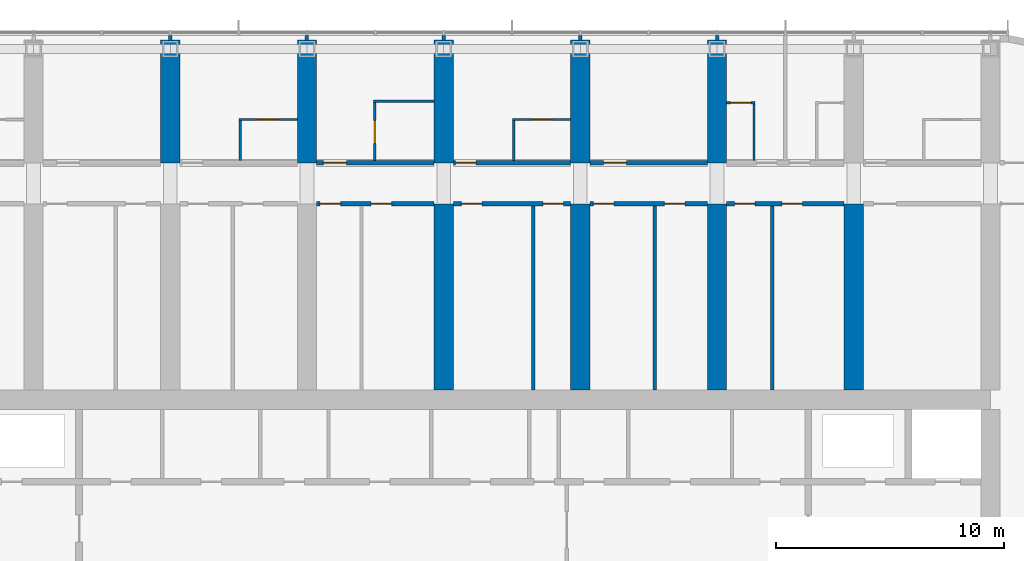
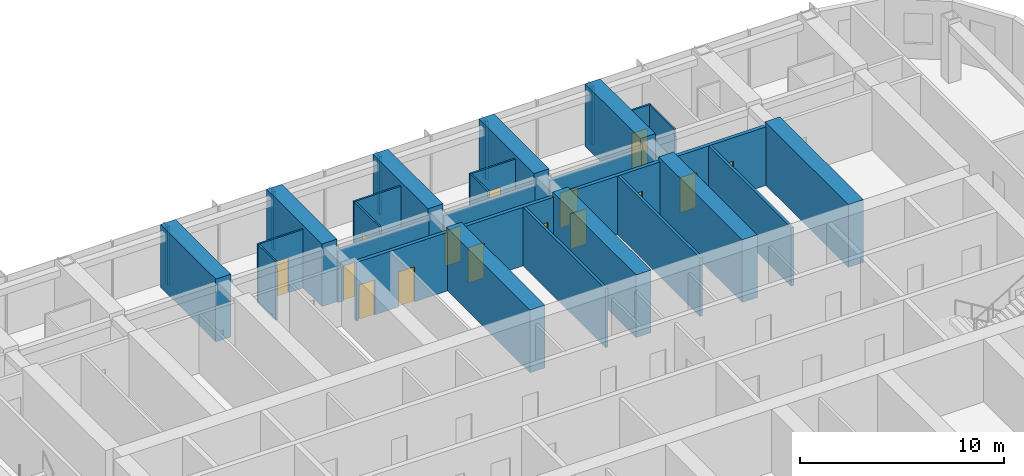
# One storey, part 19 of 28: 32 walls, 15 doors, 15 openings.
"""IFC4 building model written with IfcOpenShell, lengths in metres."""

from ifc_helpers import new_model, si_unit, direction, frame, frame_2d, origin, place, context, subcontext, project, spatial, polyline, rectangle, outline, extrude, material, layer, layer_set, type_object, element, fill, save


model = new_model("IFC4")

# Units and contexts
model_context = context("Model", 3, precision=1e-05, world=origin(), true_north=direction((0.0, 1.0)))
body_context = subcontext(model_context, "Body", "Model", "MODEL_VIEW")
ifc_project = project(units=[si_unit("LENGTHUNIT", "METRE"), si_unit("AREAUNIT", "SQUARE_METRE"), si_unit("VOLUMEUNIT", "CUBIC_METRE"), si_unit("PLANEANGLEUNIT", "RADIAN"), si_unit("MASSUNIT", "GRAM", prefix="KILO")], contexts=[model_context])

# Site, building, storey
site_placement = place(None, origin())
site = spatial("IfcSite", under=ifc_project, at=site_placement, CompositionType="ELEMENT")
building_placement = place(site_placement, origin())
building = spatial("IfcBuilding", under=site, at=building_placement, Name="Orbita Commons", CompositionType="ELEMENT")
storey_placement = place(building_placement, frame((0.0, 0.0, 193.60009765625)))
storey = spatial("IfcBuildingStorey", under=building, at=storey_placement, Name="L48", CompositionType="ELEMENT", Elevation=193.60009765625)

# Wall, opening, door
ifc_material_1 = material(Name="Concrete blockwork", Category="masonry")
ifc_layer_1 = layer(ifc_material_1, 0.199951171875)
ifc_layer_set_1 = layer_set([ifc_layer_1], Name="Concrete blockwork")
wall_type_1 = type_object("IfcWallType", Name="Corridor wall 200 blockwork", PredefinedType="SOLIDWALL", material=ifc_layer_set_1)
wall_1_placement = place(storey_placement, frame((36.425048828125, 48.60009765625, 0.0), z_axis=(0.0, 0.0, 1.0), x_axis=(1.0, 0.0, 0.0)))
wall_1 = element("IfcWall", 1, at=wall_1_placement, inside=storey, type_object=wall_type_1, Name="Corridor wall 200 blockwork L48", PredefinedType="SOLIDWALL", context=body_context, shape_type="SweptSolid", body=[
    extrude(outline(polyline([(0.0, 0.0), (5.14990234375, 0.0), (5.14990234375, 3.099853515625), (0.0, 3.099853515625), (0.0, 0.0)])), frame((0.0, 0.10009765625, 0.0), z_axis=(0.0, -1.0, 0.0), x_axis=(1.0, 0.0, 0.0)), (0.0, 0.0, 1.0), 0.199951171875),
])
opening_1_placement = place(wall_1_placement, frame((0.300048828125, 0.0, 0.0)))
opening_1 = element("IfcOpeningElement", 2, at=opening_1_placement, cuts=wall_1, Name="Opening D06", PredefinedType="OPENING", context=body_context, shape_type="SweptSolid", body=[
    extrude(rectangle(XDim=1.0, YDim=2.10009765625, at=frame_2d((0.5, 1.050048828125))), frame((0.0, 0.10986328125, 0.0), z_axis=(0.0, -1.0, 0.0), x_axis=(1.0, 0.0, 0.0)), (0.0, 0.0, 1.0), 0.219970703125),
])
ifc_material_2 = material(Name="Steel-faced fire door leaf", Category="steel")
door_type_1 = type_object("IfcDoorType", Name="Corridor door 20 min 1000x2100", OperationType="SINGLE_SWING_LEFT", PredefinedType="DOOR", material=ifc_material_2)
door_1_placement = place(opening_1_placement, origin())
door_1 = element("IfcDoor", 3, at=door_1_placement, inside=storey, type_object=door_type_1, Name="Accessible bedroom L48-N06 door", OperationType="SINGLE_SWING_LEFT", OverallHeight=2.10009765625, OverallWidth=1.0, PredefinedType="DOOR", context=body_context, shape_type="SweptSolid", body=[
    extrude(rectangle(XDim=1.0, YDim=2.10009765625, at=frame_2d((0.5, 1.050048828125))), frame((0.0, 0.02490234375, 0.0), z_axis=(0.0, -1.0, 0.0), x_axis=(1.0, 0.0, 0.0)), (0.0, 0.0, 1.0), 0.050048828125),
])
fill(opening_1, door_1)

wall_2_placement = place(storey_placement, frame((42.425048828125, 48.60009765625, 0.0), z_axis=(0.0, 0.0, 1.0), x_axis=(1.0, 0.0, 0.0)))
wall_2 = element("IfcWall", 4, at=wall_2_placement, inside=storey, type_object=wall_type_1, Name="Corridor wall 200 blockwork L48", PredefinedType="SOLIDWALL", context=body_context, shape_type="SweptSolid", body=[
    extrude(outline(polyline([(0.0, 0.0), (5.14990234375, 0.0), (5.14990234375, 3.099853515625), (0.0, 3.099853515625), (0.0, 0.0)])), frame((0.0, 0.10009765625, 0.0), z_axis=(0.0, -1.0, 0.0), x_axis=(1.0, 0.0, 0.0)), (0.0, 0.0, 1.0), 0.199951171875),
])
opening_2_placement = place(wall_2_placement, frame((0.10009765625, 0.0, 0.0)))
opening_2 = element("IfcOpeningElement", 5, at=opening_2_placement, cuts=wall_2, Name="Opening D11", PredefinedType="OPENING", context=body_context, shape_type="SweptSolid", body=[
    extrude(rectangle(XDim=0.89990234375, YDim=2.10009765625, at=frame_2d((0.449951171875, 1.050048828125))), frame((0.0, 0.10986328125, 0.0), z_axis=(0.0, -1.0, 0.0), x_axis=(1.0, 0.0, 0.0)), (0.0, 0.0, 1.0), 0.219970703125),
])
ifc_material_3 = material(Name="Steel-faced fire door leaf", Category="steel")
door_type_2 = type_object("IfcDoorType", Name="Corridor door 20 min 900x2100", OperationType="SINGLE_SWING_LEFT", PredefinedType="DOOR", material=ifc_material_3)
door_2_placement = place(opening_2_placement, origin())
door_2 = element("IfcDoor", 6, at=door_2_placement, inside=storey, type_object=door_type_2, Name="Twin room L48-N08 door", OperationType="SINGLE_SWING_LEFT", OverallHeight=2.10009765625, OverallWidth=0.89990234375, PredefinedType="DOOR", context=body_context, shape_type="SweptSolid", body=[
    extrude(rectangle(XDim=0.89990234375, YDim=2.10009765625, at=frame_2d((0.449951171875, 1.050048828125))), frame((0.0, 0.02490234375, 0.0), z_axis=(0.0, -1.0, 0.0), x_axis=(1.0, 0.0, 0.0)), (0.0, 0.0, 1.0), 0.050048828125),
])
fill(opening_2, door_2)

wall_3_placement = place(storey_placement, frame((48.425048828125, 48.60009765625, 0.0), z_axis=(0.0, 0.0, 1.0), x_axis=(1.0, 0.0, 0.0)))
wall_3 = element("IfcWall", 7, at=wall_3_placement, inside=storey, type_object=wall_type_1, Name="Corridor wall 200 blockwork L48", PredefinedType="SOLIDWALL", context=body_context, shape_type="SweptSolid", body=[
    extrude(outline(polyline([(0.0, 0.0), (5.14990234375, 0.0), (5.14990234375, 3.099853515625), (0.0, 3.099853515625), (0.0, 0.0)])), frame((0.0, 0.10009765625, 0.0), z_axis=(0.0, -1.0, 0.0), x_axis=(1.0, 0.0, 0.0)), (0.0, 0.0, 1.0), 0.199951171875),
])
opening_3_placement = place(wall_3_placement, frame((0.60009765625, 0.0, 0.0)))
opening_3 = element("IfcOpeningElement", 8, at=opening_3_placement, cuts=wall_3, Name="Opening D06", PredefinedType="OPENING", context=body_context, shape_type="SweptSolid", body=[
    extrude(rectangle(XDim=1.0, YDim=2.10009765625, at=frame_2d((0.5, 1.050048828125))), frame((0.0, 0.10986328125, 0.0), z_axis=(0.0, -1.0, 0.0), x_axis=(1.0, 0.0, 0.0)), (0.0, 0.0, 1.0), 0.219970703125),
])
door_3_placement = place(opening_3_placement, origin())
door_3 = element("IfcDoor", 9, at=door_3_placement, inside=storey, type_object=door_type_1, Name="Cluster kitchen-diner L48-N10 door", OperationType="SINGLE_SWING_LEFT", OverallHeight=2.10009765625, OverallWidth=1.0, PredefinedType="DOOR", context=body_context, shape_type="SweptSolid", body=[
    extrude(rectangle(XDim=1.0, YDim=2.10009765625, at=frame_2d((0.5, 1.050048828125))), frame((0.0, 0.02490234375, 0.0), z_axis=(0.0, -1.0, 0.0), x_axis=(1.0, 0.0, 0.0)), (0.0, 0.0, 1.0), 0.050048828125),
])
fill(opening_3, door_3)

# Wall, openings, doors
ifc_material_4 = material(Name="Hollow concrete block 200", Category="concrete")
ifc_layer_2 = layer(ifc_material_4, 0.199951171875)
ifc_layer_set_2 = layer_set([ifc_layer_2], Name="Hollow concrete block 200")
wall_type_2 = type_object("IfcWallType", Name="Corridor wall 200 hollow concrete block", PredefinedType="SOLIDWALL", material=ifc_layer_set_2)
wall_4_placement = place(storey_placement, frame((36.425048828125, 46.800048828125, 0.0), z_axis=(0.0, 0.0, 1.0), x_axis=(1.0, 0.0, 0.0)))
wall_4 = element("IfcWall", 10, at=wall_4_placement, inside=storey, type_object=wall_type_2, Name="Corridor wall 200 hollow concrete block L48", PredefinedType="SOLIDWALL", context=body_context, shape_type="SweptSolid", body=[
    extrude(rectangle(XDim=5.14990234375, YDim=0.199951171875, at=frame_2d((2.574951171875, 0.0))), origin(), (0.0, 0.0, 1.0), 3.5),
])
opening_4_placement = place(wall_4_placement, frame((0.14990234375, 0.0, 0.0)))
opening_4 = element("IfcOpeningElement", 11, at=opening_4_placement, cuts=wall_4, Name="Opening D11", PredefinedType="OPENING", context=body_context, shape_type="SweptSolid", body=[
    extrude(rectangle(XDim=0.89990234375, YDim=2.10009765625, at=frame_2d((0.449951171875, 1.050048828125))), frame((0.0, 0.10986328125, 0.0), z_axis=(0.0, -1.0, 0.0), x_axis=(1.0, 0.0, 0.0)), (0.0, 0.0, 1.0), 0.219970703125),
])
opening_5_placement = place(wall_4_placement, frame((2.39501953125, 0.0, 0.0)))
opening_5 = element("IfcOpeningElement", 12, at=opening_5_placement, cuts=wall_4, Name="Opening D11", PredefinedType="OPENING", context=body_context, shape_type="SweptSolid", body=[
    extrude(rectangle(XDim=0.89990234375, YDim=2.10009765625, at=frame_2d((0.449951171875, 1.050048828125))), frame((0.0, 0.10986328125, 0.0), z_axis=(0.0, -1.0, 0.0), x_axis=(1.0, 0.0, 0.0)), (0.0, 0.0, 1.0), 0.219970703125),
])
door_4_placement = place(opening_4_placement, origin())
door_4 = element("IfcDoor", 13, at=door_4_placement, inside=storey, type_object=door_type_2, Name="Riser access cupboard L48-BDN36n door", OperationType="SINGLE_SWING_LEFT", OverallHeight=2.10009765625, OverallWidth=0.89990234375, PredefinedType="DOOR", context=body_context, shape_type="SweptSolid", body=[
    extrude(rectangle(XDim=0.89990234375, YDim=2.10009765625, at=frame_2d((0.449951171875, 1.050048828125))), frame((0.0, 0.02490234375, 0.0), z_axis=(0.0, -1.0, 0.0), x_axis=(1.0, 0.0, 0.0)), (0.0, 0.0, 1.0), 0.050048828125),
])
fill(opening_4, door_4)
door_5_placement = place(opening_5_placement, origin())
door_5 = element("IfcDoor", 14, at=door_5_placement, inside=storey, type_object=door_type_2, Name="Parcel and post room L48-BDN36 door", OperationType="SINGLE_SWING_LEFT", OverallHeight=2.10009765625, OverallWidth=0.89990234375, PredefinedType="DOOR", context=body_context, shape_type="SweptSolid", body=[
    extrude(rectangle(XDim=0.89990234375, YDim=2.10009765625, at=frame_2d((0.449951171875, 1.050048828125))), frame((0.0, 0.02490234375, 0.0), z_axis=(0.0, -1.0, 0.0), x_axis=(1.0, 0.0, 0.0)), (0.0, 0.0, 1.0), 0.050048828125),
])
fill(opening_5, door_5)

wall_5_placement = place(storey_placement, frame((42.425048828125, 46.800048828125, 0.0), z_axis=(0.0, 0.0, 1.0), x_axis=(1.0, 0.0, 0.0)))
wall_5 = element("IfcWall", 15, at=wall_5_placement, inside=storey, type_object=wall_type_2, Name="Corridor wall 200 hollow concrete block L48", PredefinedType="SOLIDWALL", context=body_context, shape_type="SweptSolid", body=[
    extrude(rectangle(XDim=5.14990234375, YDim=0.199951171875, at=frame_2d((2.574951171875, 0.0))), origin(), (0.0, 0.0, 1.0), 3.5),
])
opening_6_placement = place(wall_5_placement, frame((0.35009765625, 0.0, 0.0)))
opening_6 = element("IfcOpeningElement", 16, at=opening_6_placement, cuts=wall_5, Name="Opening D11", PredefinedType="OPENING", context=body_context, shape_type="SweptSolid", body=[
    extrude(rectangle(XDim=0.89990234375, YDim=2.10009765625, at=frame_2d((0.449951171875, 1.050048828125))), frame((0.0, 0.10986328125, 0.0), z_axis=(0.0, -1.0, 0.0), x_axis=(1.0, 0.0, 0.0)), (0.0, 0.0, 1.0), 0.219970703125),
])
opening_7_placement = place(wall_5_placement, frame((3.925048828125, 0.0, 0.0)))
opening_7 = element("IfcOpeningElement", 17, at=opening_7_placement, cuts=wall_5, Name="Opening D11", PredefinedType="OPENING", context=body_context, shape_type="SweptSolid", body=[
    extrude(rectangle(XDim=0.89990234375, YDim=2.10009765625, at=frame_2d((0.449951171875, 1.050048828125))), frame((0.0, 0.10986328125, 0.0), z_axis=(0.0, -1.0, 0.0), x_axis=(1.0, 0.0, 0.0)), (0.0, 0.0, 1.0), 0.219970703125),
])
door_6_placement = place(opening_6_placement, origin())
door_6 = element("IfcDoor", 18, at=door_6_placement, inside=storey, type_object=door_type_2, Name="Drying room L48-BDN42 door", OperationType="SINGLE_SWING_LEFT", OverallHeight=2.10009765625, OverallWidth=0.89990234375, PredefinedType="DOOR", context=body_context, shape_type="SweptSolid", body=[
    extrude(rectangle(XDim=0.89990234375, YDim=2.10009765625, at=frame_2d((0.449951171875, 1.050048828125))), frame((0.0, 0.02490234375, 0.0), z_axis=(0.0, -1.0, 0.0), x_axis=(1.0, 0.0, 0.0)), (0.0, 0.0, 1.0), 0.050048828125),
])
fill(opening_6, door_6)
door_7_placement = place(opening_7_placement, origin())
door_7 = element("IfcDoor", 19, at=door_7_placement, inside=storey, type_object=door_type_2, Name="Water heater cupboard L48-BDN42n door", OperationType="SINGLE_SWING_LEFT", OverallHeight=2.10009765625, OverallWidth=0.89990234375, PredefinedType="DOOR", context=body_context, shape_type="SweptSolid", body=[
    extrude(rectangle(XDim=0.89990234375, YDim=2.10009765625, at=frame_2d((0.449951171875, 1.050048828125))), frame((0.0, 0.02490234375, 0.0), z_axis=(0.0, -1.0, 0.0), x_axis=(1.0, 0.0, 0.0)), (0.0, 0.0, 1.0), 0.050048828125),
])
fill(opening_7, door_7)

wall_6_placement = place(storey_placement, frame((48.425048828125, 46.800048828125, 0.0), z_axis=(0.0, 0.0, 1.0), x_axis=(1.0, 0.0, 0.0)))
wall_6 = element("IfcWall", 20, at=wall_6_placement, inside=storey, type_object=wall_type_2, Name="Corridor wall 200 hollow concrete block L48", PredefinedType="SOLIDWALL", context=body_context, shape_type="SweptSolid", body=[
    extrude(rectangle(XDim=5.14990234375, YDim=0.199951171875, at=frame_2d((2.574951171875, 0.0))), origin(), (0.0, 0.0, 1.0), 3.5),
])
opening_8_placement = place(wall_6_placement, frame((0.14990234375, 0.0, 0.0)))
opening_8 = element("IfcOpeningElement", 21, at=opening_8_placement, cuts=wall_6, Name="Opening D11", PredefinedType="OPENING", context=body_context, shape_type="SweptSolid", body=[
    extrude(rectangle(XDim=0.89990234375, YDim=2.10009765625, at=frame_2d((0.449951171875, 1.050048828125))), frame((0.0, 0.10986328125, 0.0), z_axis=(0.0, -1.0, 0.0), x_axis=(1.0, 0.0, 0.0)), (0.0, 0.0, 1.0), 0.219970703125),
])
opening_9_placement = place(wall_6_placement, frame((3.264892578125, 0.0, 0.0)))
opening_9 = element("IfcOpeningElement", 22, at=opening_9_placement, cuts=wall_6, Name="Opening D11", PredefinedType="OPENING", context=body_context, shape_type="SweptSolid", body=[
    extrude(rectangle(XDim=0.89990234375, YDim=2.10009765625, at=frame_2d((0.449951171875, 1.050048828125))), frame((0.0, 0.10986328125, 0.0), z_axis=(0.0, -1.0, 0.0), x_axis=(1.0, 0.0, 0.0)), (0.0, 0.0, 1.0), 0.219970703125),
])
door_8_placement = place(opening_8_placement, origin())
door_8 = element("IfcDoor", 23, at=door_8_placement, inside=storey, type_object=door_type_2, Name="Linen store L48-BDN48 door", OperationType="SINGLE_SWING_LEFT", OverallHeight=2.10009765625, OverallWidth=0.89990234375, PredefinedType="DOOR", context=body_context, shape_type="SweptSolid", body=[
    extrude(rectangle(XDim=0.89990234375, YDim=2.10009765625, at=frame_2d((0.449951171875, 1.050048828125))), frame((0.0, 0.02490234375, 0.0), z_axis=(0.0, -1.0, 0.0), x_axis=(1.0, 0.0, 0.0)), (0.0, 0.0, 1.0), 0.050048828125),
])
fill(opening_8, door_8)
door_9_placement = place(opening_9_placement, origin())
door_9 = element("IfcDoor", 24, at=door_9_placement, inside=storey, type_object=door_type_2, Name="Battery and UPS room L48-BDN48n door", OperationType="SINGLE_SWING_LEFT", OverallHeight=2.10009765625, OverallWidth=0.89990234375, PredefinedType="DOOR", context=body_context, shape_type="SweptSolid", body=[
    extrude(rectangle(XDim=0.89990234375, YDim=2.10009765625, at=frame_2d((0.449951171875, 1.050048828125))), frame((0.0, 0.02490234375, 0.0), z_axis=(0.0, -1.0, 0.0), x_axis=(1.0, 0.0, 0.0)), (0.0, 0.0, 1.0), 0.050048828125),
])
fill(opening_9, door_9)

wall_7_placement = place(storey_placement, frame((54.425048828125, 46.800048828125, 0.0), z_axis=(0.0, 0.0, 1.0), x_axis=(1.0, 0.0, 0.0)))
wall_7 = element("IfcWall", 25, at=wall_7_placement, inside=storey, type_object=wall_type_2, Name="Corridor wall 200 hollow concrete block L48", PredefinedType="SOLIDWALL", context=body_context, shape_type="SweptSolid", body=[
    extrude(rectangle(XDim=5.14990234375, YDim=0.199951171875, at=frame_2d((2.574951171875, 0.0))), origin(), (0.0, 0.0, 1.0), 3.5),
])
opening_10_placement = place(wall_7_placement, frame((0.35009765625, 0.0, 0.0)))
opening_10 = element("IfcOpeningElement", 26, at=opening_10_placement, cuts=wall_7, Name="Opening D11", PredefinedType="OPENING", context=body_context, shape_type="SweptSolid", body=[
    extrude(rectangle(XDim=0.89990234375, YDim=2.10009765625, at=frame_2d((0.449951171875, 1.050048828125))), frame((0.0, 0.10986328125, 0.0), z_axis=(0.0, -1.0, 0.0), x_axis=(1.0, 0.0, 0.0)), (0.0, 0.0, 1.0), 0.219970703125),
])
opening_11_placement = place(wall_7_placement, frame((2.4150390625, 0.0, 0.0)))
opening_11 = element("IfcOpeningElement", 27, at=opening_11_placement, cuts=wall_7, Name="Opening D11", PredefinedType="OPENING", context=body_context, shape_type="SweptSolid", body=[
    extrude(rectangle(XDim=0.89990234375, YDim=2.10009765625, at=frame_2d((0.449951171875, 1.050048828125))), frame((0.0, 0.10986328125, 0.0), z_axis=(0.0, -1.0, 0.0), x_axis=(1.0, 0.0, 0.0)), (0.0, 0.0, 1.0), 0.219970703125),
])
door_10_placement = place(opening_10_placement, origin())
door_10 = element("IfcDoor", 28, at=door_10_placement, inside=storey, type_object=door_type_2, Name="Sprinkler valve room L48-BDN54n door", OperationType="SINGLE_SWING_LEFT", OverallHeight=2.10009765625, OverallWidth=0.89990234375, PredefinedType="DOOR", context=body_context, shape_type="SweptSolid", body=[
    extrude(rectangle(XDim=0.89990234375, YDim=2.10009765625, at=frame_2d((0.449951171875, 1.050048828125))), frame((0.0, 0.02490234375, 0.0), z_axis=(0.0, -1.0, 0.0), x_axis=(1.0, 0.0, 0.0)), (0.0, 0.0, 1.0), 0.050048828125),
])
fill(opening_10, door_10)
door_11_placement = place(opening_11_placement, origin())
door_11 = element("IfcDoor", 29, at=door_11_placement, inside=storey, type_object=door_type_2, Name="Pantry L48-BDN54 door", OperationType="SINGLE_SWING_LEFT", OverallHeight=2.10009765625, OverallWidth=0.89990234375, PredefinedType="DOOR", context=body_context, shape_type="SweptSolid", body=[
    extrude(rectangle(XDim=0.89990234375, YDim=2.10009765625, at=frame_2d((0.449951171875, 1.050048828125))), frame((0.0, 0.02490234375, 0.0), z_axis=(0.0, -1.0, 0.0), x_axis=(1.0, 0.0, 0.0)), (0.0, 0.0, 1.0), 0.050048828125),
])
fill(opening_11, door_11)

# Walls
ifc_material_5 = material(Name="Concrete C50/60", Category="concrete")
ifc_layer_3 = layer(ifc_material_5, 0.85009765625)
ifc_layer_set_3 = layer_set([ifc_layer_3], Name="Concrete C50/60")
wall_type_3 = type_object("IfcWallType", Name="Cross wall 850 C50/60", PredefinedType="SHEAR", material=ifc_layer_set_3)
for number, where, z_axis, x_axis, name in (
    (30, (30.0, 48.60009765625, 0.0), (0.0, 0.0, 1.0), (0.0, 1.0, 0.0), "Cross wall 6 north outer L48"),
    (31, (36.0, 48.60009765625, 0.0), (0.0, 0.0, 1.0), (0.0, 1.0, 0.0), "Cross wall 7 north outer L48"),
    (32, (42.0, 48.60009765625, 0.0), (0.0, 0.0, 1.0), (0.0, 1.0, 0.0), "Cross wall 8 north outer L48"),
):
    element("IfcWall", number, at=place(storey_placement, frame(where, z_axis=z_axis, x_axis=x_axis)), inside=storey, type_object=wall_type_3, Name=name, PredefinedType="SHEAR", context=body_context, shape_type="SweptSolid", body=[
        extrude(rectangle(XDim=5.39990234375, YDim=0.85009765625, at=frame_2d((2.699951171875, 0.0))), origin(), (0.0, 0.0, 1.0), 3.75),
    ])
wall_8_placement = place(storey_placement, frame((42.0, 38.625, 0.0), z_axis=(0.0, 0.0, 1.0), x_axis=(0.0, 1.0, 0.0)))
element("IfcWall", 33, at=wall_8_placement, inside=storey, type_object=wall_type_3, Name="Cross wall 8 north inner L48", PredefinedType="SHEAR", context=body_context, shape_type="SweptSolid", body=[
    extrude(rectangle(XDim=8.175048828125, YDim=0.85009765625, at=frame_2d((4.08740234375, 0.0))), origin(), (0.0, 0.0, 1.0), 3.75),
])
wall_9_placement = place(storey_placement, frame((48.0, 48.60009765625, 0.0), z_axis=(0.0, 0.0, 1.0), x_axis=(0.0, 1.0, 0.0)))
element("IfcWall", 34, at=wall_9_placement, inside=storey, type_object=wall_type_3, Name="Cross wall 9 north outer L48", PredefinedType="SHEAR", context=body_context, shape_type="SweptSolid", body=[
    extrude(rectangle(XDim=5.39990234375, YDim=0.85009765625, at=frame_2d((2.699951171875, 0.0))), origin(), (0.0, 0.0, 1.0), 3.75),
])
wall_10_placement = place(storey_placement, frame((48.0, 38.625, 0.0), z_axis=(0.0, 0.0, 1.0), x_axis=(0.0, 1.0, 0.0)))
element("IfcWall", 35, at=wall_10_placement, inside=storey, type_object=wall_type_3, Name="Cross wall 9 north inner L48", PredefinedType="SHEAR", context=body_context, shape_type="SweptSolid", body=[
    extrude(rectangle(XDim=8.175048828125, YDim=0.85009765625, at=frame_2d((4.08740234375, 0.0))), origin(), (0.0, 0.0, 1.0), 3.75),
])
wall_11_placement = place(storey_placement, frame((54.0, 48.60009765625, 0.0), z_axis=(0.0, 0.0, 1.0), x_axis=(0.0, 1.0, 0.0)))
element("IfcWall", 36, at=wall_11_placement, inside=storey, type_object=wall_type_3, Name="Cross wall 10 north outer L48", PredefinedType="SHEAR", context=body_context, shape_type="SweptSolid", body=[
    extrude(rectangle(XDim=5.39990234375, YDim=0.85009765625, at=frame_2d((2.699951171875, 0.0))), origin(), (0.0, 0.0, 1.0), 3.75),
])
for number, where, z_axis, x_axis, name in (
    (37, (54.0, 38.625, 0.0), (0.0, 0.0, 1.0), (0.0, 1.0, 0.0), "Cross wall 10 north inner L48"),
    (38, (60.0, 38.625, 0.0), (0.0, 0.0, 1.0), (0.0, 1.0, 0.0), "Cross wall 11 north inner L48"),
):
    element("IfcWall", number, at=place(storey_placement, frame(where, z_axis=z_axis, x_axis=x_axis)), inside=storey, type_object=wall_type_3, Name=name, PredefinedType="SHEAR", context=body_context, shape_type="SweptSolid", body=[
        extrude(rectangle(XDim=8.175048828125, YDim=0.85009765625, at=frame_2d((4.08740234375, 0.0))), origin(), (0.0, 0.0, 1.0), 3.75),
    ])

# Wall, opening, door
ifc_material_6 = material(Name="Moisture-resistant plasterboard on steel studs", Category="steel")
ifc_layer_4 = layer(ifc_material_6, 0.10009765625)
ifc_layer_set_4 = layer_set([ifc_layer_4], Name="Moisture-resistant plasterboard on steel studs")
wall_type_4 = type_object("IfcWallType", Name="En-suite partition 100", PredefinedType="PARTITIONING", material=ifc_layer_set_4)
wall_12_placement = place(storey_placement, frame((33.02490234375, 50.5, 0.0), z_axis=(0.0, 0.0, 1.0), x_axis=(1.0, 0.0, 0.0)))
wall_12 = element("IfcWall", 39, at=wall_12_placement, inside=storey, type_object=wall_type_4, Name="En-suite partition 100 L48", PredefinedType="PARTITIONING", context=body_context, shape_type="SweptSolid", body=[
    extrude(rectangle(XDim=2.550048828125, YDim=0.10009765625, at=frame_2d((1.27490234375, 0.0))), origin(), (0.0, 0.0, 1.0), 3.5),
])
opening_12_placement = place(wall_12_placement, frame((0.824951171875, 0.0, 0.0)))
opening_12 = element("IfcOpeningElement", 40, at=opening_12_placement, cuts=wall_12, Name="Opening D09", PredefinedType="OPENING", context=body_context, shape_type="SweptSolid", body=[
    extrude(rectangle(XDim=0.89990234375, YDim=2.10009765625, at=frame_2d((0.449951171875, 1.050048828125))), frame((0.0, 0.06005859375, 0.0), z_axis=(0.0, -1.0, 0.0), x_axis=(1.0, 0.0, 0.0)), (0.0, 0.0, 1.0), 0.1201171875),
])
ifc_material_7 = material(Name="Laminated timber door leaf", Category="wood")
door_type_3 = type_object("IfcDoorType", Name="En-suite door 900x2100", OperationType="SINGLE_SWING_RIGHT", PredefinedType="DOOR", material=ifc_material_7)
door_12_placement = place(opening_12_placement, origin())
door_12 = element("IfcDoor", 41, at=door_12_placement, inside=storey, type_object=door_type_3, Name="En-suite L48-N04 door", OperationType="SINGLE_SWING_RIGHT", OverallHeight=2.10009765625, OverallWidth=0.89990234375, PredefinedType="DOOR", context=body_context, shape_type="SweptSolid", body=[
    extrude(rectangle(XDim=0.89990234375, YDim=2.10009765625, at=frame_2d((0.449951171875, 1.050048828125))), frame((0.0, 0.02490234375, 0.0), z_axis=(0.0, -1.0, 0.0), x_axis=(1.0, 0.0, 0.0)), (0.0, 0.0, 1.0), 0.050048828125),
])
fill(opening_12, door_12)

# Walls
wall_13_placement = place(storey_placement, frame((33.074951171875, 50.449951171875, 0.0), z_axis=(0.0, 0.0, 1.0), x_axis=(0.0, -1.0, 0.0)))
element("IfcWall", 42, at=wall_13_placement, inside=storey, type_object=wall_type_4, Name="En-suite partition 100 L48", PredefinedType="PARTITIONING", context=body_context, shape_type="SweptSolid", body=[
    extrude(outline(polyline([(0.0, 0.0), (1.75, 0.0), (1.75, 3.099853515625), (1.701904296875, 3.099853515625), (1.699951171875, 3.5), (0.0, 3.5), (0.0, 0.0)])), frame((0.0, 0.050048828125, 0.0), z_axis=(0.0, -1.0, 0.0), x_axis=(1.0, 0.0, 0.0)), (0.0, 0.0, 1.0), 0.10009765625),
])
wall_14_placement = place(storey_placement, frame((38.925048828125, 51.300048828125, 0.0), z_axis=(0.0, 0.0, 1.0), x_axis=(1.0, 0.0, 0.0)))
element("IfcWall", 43, at=wall_14_placement, inside=storey, type_object=wall_type_4, Name="En-suite partition 100 L48", PredefinedType="PARTITIONING", context=body_context, shape_type="SweptSolid", body=[
    extrude(rectangle(XDim=2.64990234375, YDim=0.10009765625, at=frame_2d((1.324951171875, 0.0))), origin(), (0.0, 0.0, 1.0), 3.5),
])

# Wall, opening, door
wall_15_placement = place(storey_placement, frame((38.97509765625, 51.25, 0.0), z_axis=(0.0, 0.0, 1.0), x_axis=(0.0, -1.0, 0.0)))
wall_15 = element("IfcWall", 44, at=wall_15_placement, inside=storey, type_object=wall_type_4, Name="En-suite partition 100 L48", PredefinedType="PARTITIONING", context=body_context, shape_type="SweptSolid", body=[
    extrude(outline(polyline([(0.0, 0.0), (2.550048828125, 0.0), (2.550048828125, 3.099853515625), (2.501953125, 3.099853515625), (2.5, 3.5), (0.0, 3.5), (0.0, 0.0)])), frame((0.0, 0.050048828125, 0.0), z_axis=(0.0, -1.0, 0.0), x_axis=(1.0, 0.0, 0.0)), (0.0, 0.0, 1.0), 0.10009765625),
])
opening_13_placement = place(wall_15_placement, frame((0.800048828125, 0.0, 0.0)))
opening_13 = element("IfcOpeningElement", 45, at=opening_13_placement, cuts=wall_15, Name="Opening D13", PredefinedType="OPENING", context=body_context, shape_type="SweptSolid", body=[
    extrude(rectangle(XDim=1.0, YDim=2.10009765625, at=frame_2d((0.5, 1.050048828125))), frame((0.0, 0.06005859375, 0.0), z_axis=(0.0, -1.0, 0.0), x_axis=(1.0, 0.0, 0.0)), (0.0, 0.0, 1.0), 0.1201171875),
])
ifc_material_8 = material(Name="Laminated timber door leaf", Category="wood")
door_type_4 = type_object("IfcDoorType", Name="En-suite door 1000x2100", OperationType="SINGLE_SWING_RIGHT", PredefinedType="DOOR", material=ifc_material_8)
door_13_placement = place(opening_13_placement, origin())
door_13 = element("IfcDoor", 46, at=door_13_placement, inside=storey, type_object=door_type_4, Name="Accessible shower room L48-N06 door", OperationType="SINGLE_SWING_RIGHT", OverallHeight=2.10009765625, OverallWidth=1.0, PredefinedType="DOOR", context=body_context, shape_type="SweptSolid", body=[
    extrude(rectangle(XDim=1.0, YDim=2.10009765625, at=frame_2d((0.5, 1.050048828125))), frame((0.0, 0.02490234375, 0.0), z_axis=(0.0, -1.0, 0.0), x_axis=(1.0, 0.0, 0.0)), (0.0, 0.0, 1.0), 0.050048828125),
])
fill(opening_13, door_13)

wall_16_placement = place(storey_placement, frame((45.02490234375, 50.5, 0.0), z_axis=(0.0, 0.0, 1.0), x_axis=(1.0, 0.0, 0.0)))
wall_16 = element("IfcWall", 47, at=wall_16_placement, inside=storey, type_object=wall_type_4, Name="En-suite partition 100 L48", PredefinedType="PARTITIONING", context=body_context, shape_type="SweptSolid", body=[
    extrude(rectangle(XDim=2.550048828125, YDim=0.10009765625, at=frame_2d((1.27490234375, 0.0))), origin(), (0.0, 0.0, 1.0), 3.5),
])
opening_14_placement = place(wall_16_placement, frame((0.824951171875, 0.0, 0.0)))
opening_14 = element("IfcOpeningElement", 48, at=opening_14_placement, cuts=wall_16, Name="Opening D09", PredefinedType="OPENING", context=body_context, shape_type="SweptSolid", body=[
    extrude(rectangle(XDim=0.89990234375, YDim=2.10009765625, at=frame_2d((0.449951171875, 1.050048828125))), frame((0.0, 0.06005859375, 0.0), z_axis=(0.0, -1.0, 0.0), x_axis=(1.0, 0.0, 0.0)), (0.0, 0.0, 1.0), 0.1201171875),
])
door_14_placement = place(opening_14_placement, origin())
door_14 = element("IfcDoor", 49, at=door_14_placement, inside=storey, type_object=door_type_3, Name="En-suite L48-N08 door", OperationType="SINGLE_SWING_RIGHT", OverallHeight=2.10009765625, OverallWidth=0.89990234375, PredefinedType="DOOR", context=body_context, shape_type="SweptSolid", body=[
    extrude(rectangle(XDim=0.89990234375, YDim=2.10009765625, at=frame_2d((0.449951171875, 1.050048828125))), frame((0.0, 0.02490234375, 0.0), z_axis=(0.0, -1.0, 0.0), x_axis=(1.0, 0.0, 0.0)), (0.0, 0.0, 1.0), 0.050048828125),
])
fill(opening_14, door_14)

# Wall
wall_17_placement = place(storey_placement, frame((45.074951171875, 50.449951171875, 0.0), z_axis=(0.0, 0.0, 1.0), x_axis=(0.0, -1.0, 0.0)))
element("IfcWall", 50, at=wall_17_placement, inside=storey, type_object=wall_type_4, Name="En-suite partition 100 L48", PredefinedType="PARTITIONING", context=body_context, shape_type="SweptSolid", body=[
    extrude(outline(polyline([(0.0, 0.0), (1.75, 0.0), (1.75, 3.099853515625), (1.701904296875, 3.099853515625), (1.699951171875, 3.5), (0.0, 3.5), (0.0, 0.0)])), frame((0.0, 0.050048828125, 0.0), z_axis=(0.0, -1.0, 0.0), x_axis=(1.0, 0.0, 0.0)), (0.0, 0.0, 1.0), 0.10009765625),
])

# Wall, opening, door
wall_18_placement = place(storey_placement, frame((54.425048828125, 51.24169921875, 0.0), z_axis=(0.0, 0.0, 1.0), x_axis=(1.0, 0.0, 0.0)))
wall_18 = element("IfcWall", 51, at=wall_18_placement, inside=storey, type_object=wall_type_4, Name="En-suite partition 100 L48", PredefinedType="PARTITIONING", context=body_context, shape_type="SweptSolid", body=[
    extrude(rectangle(XDim=1.25, YDim=0.10009765625, at=frame_2d((0.625, 0.0))), origin(), (0.0, 0.0, 1.0), 3.5),
])
opening_15_placement = place(wall_18_placement, frame((0.175048828125, 0.0, 0.0)))
opening_15 = element("IfcOpeningElement", 52, at=opening_15_placement, cuts=wall_18, Name="Opening D09", PredefinedType="OPENING", context=body_context, shape_type="SweptSolid", body=[
    extrude(rectangle(XDim=0.89990234375, YDim=2.10009765625, at=frame_2d((0.449951171875, 1.050048828125))), frame((0.0, 0.06005859375, 0.0), z_axis=(0.0, -1.0, 0.0), x_axis=(1.0, 0.0, 0.0)), (0.0, 0.0, 1.0), 0.1201171875),
])
door_15_placement = place(opening_15_placement, origin())
door_15 = element("IfcDoor", 53, at=door_15_placement, inside=storey, type_object=door_type_3, Name="En-suite L48-N12 door", OperationType="SINGLE_SWING_RIGHT", OverallHeight=2.10009765625, OverallWidth=0.89990234375, PredefinedType="DOOR", context=body_context, shape_type="SweptSolid", body=[
    extrude(rectangle(XDim=0.89990234375, YDim=2.10009765625, at=frame_2d((0.449951171875, 1.050048828125))), frame((0.0, 0.02490234375, 0.0), z_axis=(0.0, -1.0, 0.0), x_axis=(1.0, 0.0, 0.0)), (0.0, 0.0, 1.0), 0.050048828125),
])
fill(opening_15, door_15)

# Walls
wall_19_placement = place(storey_placement, frame((55.625, 51.191650390625, 0.0), z_axis=(0.0, 0.0, 1.0), x_axis=(0.0, -1.0, 0.0)))
element("IfcWall", 54, at=wall_19_placement, inside=storey, type_object=wall_type_4, Name="En-suite partition 100 L48", PredefinedType="PARTITIONING", context=body_context, shape_type="SweptSolid", body=[
    extrude(outline(polyline([(0.0, 0.0), (2.49169921875, 0.0), (2.49169921875, 3.099853515625), (2.443603515625, 3.099853515625), (2.441650390625, 3.5), (0.0, 3.5), (0.0, 0.0)])), frame((0.0, 0.050048828125, 0.0), z_axis=(0.0, -1.0, 0.0), x_axis=(1.0, 0.0, 0.0)), (0.0, 0.0, 1.0), 0.10009765625),
])
ifc_material_9 = material(Name="Gypsum plasterboard on steel studs", Category="steel")
ifc_layer_5 = layer(ifc_material_9, 0.14990234375)
ifc_layer_set_5 = layer_set([ifc_layer_5], Name="Gypsum plasterboard on steel studs")
wall_type_5 = type_object("IfcWallType", Name="Partition 150 plasterboard", PredefinedType="PARTITIONING", material=ifc_layer_set_5)
for number, where, z_axis, x_axis, name in (
    (55, (45.925048828125, 38.625, 0.0), (0.0, 0.0, 1.0), (0.0, 1.0, 0.0), "Partition 150 plasterboard L48"),
    (56, (51.264892578125, 38.625, 0.0), (0.0, 0.0, 1.0), (0.0, 1.0, 0.0), "Partition 150 plasterboard L48"),
    (57, (56.4150390625, 38.625, 0.0), (0.0, 0.0, 1.0), (0.0, 1.0, 0.0), "Partition 150 plasterboard L48"),
):
    element("IfcWall", number, at=place(storey_placement, frame(where, z_axis=z_axis, x_axis=x_axis)), inside=storey, type_object=wall_type_5, Name=name, PredefinedType="PARTITIONING", context=body_context, shape_type="SweptSolid", body=[
        extrude(rectangle(XDim=8.074951171875, YDim=0.14990234375, at=frame_2d((4.03759765625, 0.0))), origin(), (0.0, 0.0, 1.0), 3.5),
    ])
for number, where, z_axis, x_axis, name in (
    (58, (30.0, 53.949951171875, 0.0), (0.0, 0.0, 1.0), (0.0, 1.0, 0.0), "Partition 150 plasterboard L48"),
    (59, (36.0, 53.949951171875, 0.0), (0.0, 0.0, 1.0), (0.0, 1.0, 0.0), "Partition 150 plasterboard L48"),
    (60, (42.0, 53.949951171875, 0.0), (0.0, 0.0, 1.0), (0.0, 1.0, 0.0), "Partition 150 plasterboard L48"),
    (61, (48.0, 53.949951171875, 0.0), (0.0, 0.0, 1.0), (0.0, 1.0, 0.0), "Partition 150 plasterboard L48"),
    (62, (54.0, 53.949951171875, 0.0), (0.0, 0.0, 1.0), (0.0, 1.0, 0.0), "Partition 150 plasterboard L48"),
):
    element("IfcWall", number, at=place(storey_placement, frame(where, z_axis=z_axis, x_axis=x_axis)), inside=storey, type_object=wall_type_5, Name=name, PredefinedType="PARTITIONING", context=body_context, shape_type="SweptSolid", body=[
        extrude(rectangle(XDim=0.239990234375, YDim=0.14990234375, at=frame_2d((0.1201171875, 0.0))), origin(), (0.0, 0.0, 1.0), 3.5),
    ])

save(model, "model.ifc")
